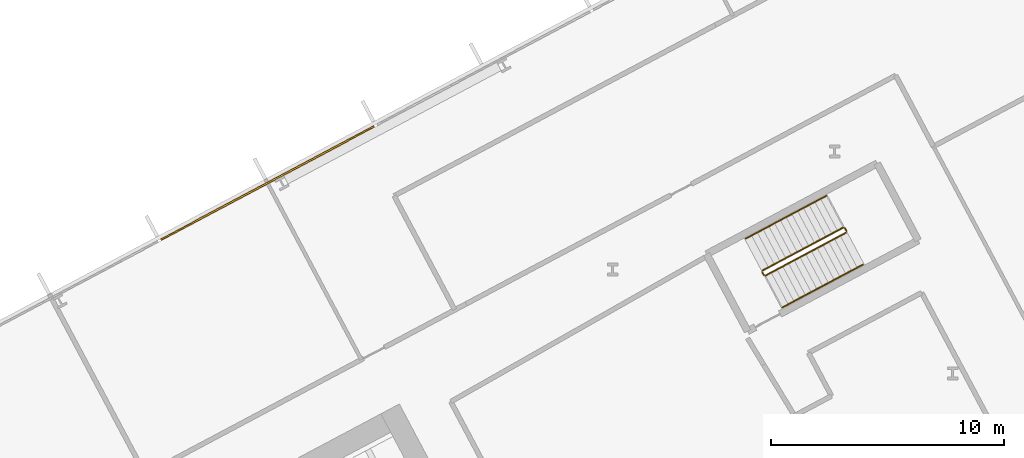
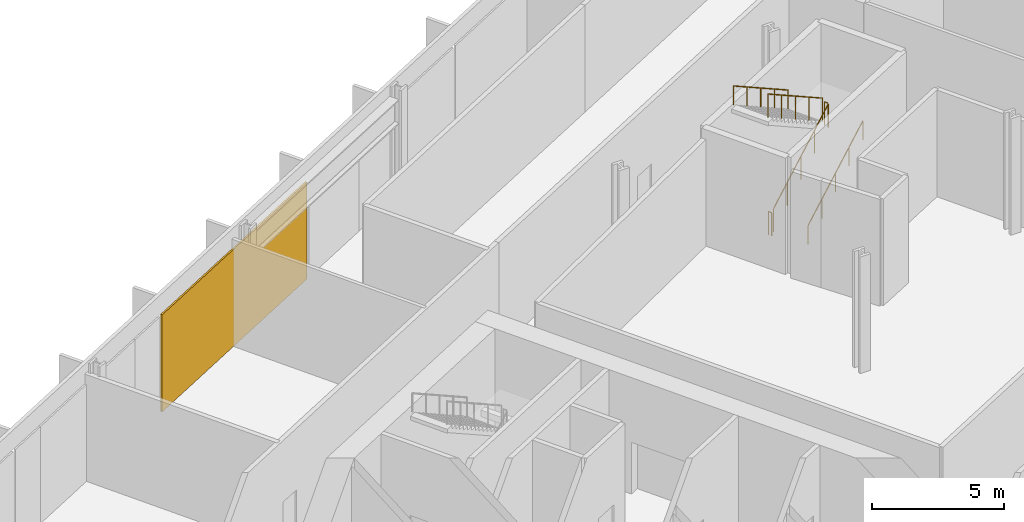
# One storey, part 29 of 30: 6 railings, 1 covering, 1 element without a shape of its own.
"""IFC4 building model written with IfcOpenShell, lengths in metres."""

from ifc_helpers import new_model, si_unit, direction, frame, origin, origin_2d, place, context, subcontext, project, spatial, polyline, rectangle, outline, extrude, material, layer, layer_set, type_object, element, aggregate, save


model = new_model("IFC4")

# Units and contexts
model_context = context("Model", 3, precision=1e-05, world=origin(), true_north=direction((0.0, 1.0)))
body_context = subcontext(model_context, "Body", "Model", "MODEL_VIEW")
ifc_project = project(units=[si_unit("LENGTHUNIT", "METRE"), si_unit("AREAUNIT", "SQUARE_METRE"), si_unit("VOLUMEUNIT", "CUBIC_METRE"), si_unit("PLANEANGLEUNIT", "RADIAN"), si_unit("MASSUNIT", "GRAM", prefix="KILO")], contexts=[model_context])

# Site, building, storey
site_placement = place(None, origin())
site = spatial("IfcSite", under=ifc_project, at=site_placement, CompositionType="ELEMENT")
building_placement = place(site_placement, origin())
building = spatial("IfcBuilding", under=site, at=building_placement, Name="Cormorant Relay Tower", CompositionType="ELEMENT")
storey_placement = place(building_placement, frame((0.0, 0.0, 44.60009765625)))
storey = spatial("IfcBuildingStorey", under=building, at=storey_placement, Name="L08", CompositionType="ELEMENT", Elevation=44.60009765625)

# Curtain wall, covering
ifc_material_1 = material(Name="Aluminium 6063-T6 anodised bronze", Category="aluminium")
ifc_layer_1 = layer(ifc_material_1, 0.235107421875)
ifc_layer_set_1 = layer_set([ifc_layer_1], Name="CW6 data hall curtain wall with mineral wool panels")
curtain_wall_type = type_object("IfcCurtainWallType", Name="CW6 data hall curtain wall with mineral wool panels", PredefinedType="NOTDEFINED", material=ifc_layer_set_1)
curtain_wall_placement = place(storey_placement, origin())
curtain_wall = element("IfcCurtainWall", 1, at=curtain_wall_placement, inside=storey, type_object=curtain_wall_type, Name="CW6 curtain wall 6", PredefinedType="NOTDEFINED")
ifc_material_2 = material(Name="Mineral wool cored anodised bronze aluminium cassette panel", Category="aluminium")
ifc_layer_2 = layer(ifc_material_2, 0.074951171875)
ifc_layer_set_2 = layer_set([ifc_layer_2], Name="CW6 mineral wool cassette panel 75")
covering_type = type_object("IfcCoveringType", Name="CW6 mineral wool cassette panel 75", PredefinedType="CLADDING", material=ifc_layer_set_2)
covering_placement = place(storey_placement, frame((23.193603515625, 36.15869140625, 0.0), z_axis=(0.0, 0.0, 1.0), x_axis=(-0.882947592859, -0.469471562786, 0.0)))
covering = element("IfcCovering", 2, at=covering_placement, type_object=covering_type, Name="CW6 panel S05", PredefinedType="CLADDING", context=body_context, shape_type="SweptSolid", body=[
    extrude(rectangle(XDim=10.365234375, YDim=0.074951171875, at=origin_2d()), origin(), (0.0, 0.0, 1.0), 4.5),
])
aggregate(curtain_wall, [covering])

# Railings
ifc_material_3 = material(Name="Steel ASTM A572 Grade 50 (Fy 345 MPa)", Category="steel")
railing_type_1 = type_object("IfcRailingType", Name="Stair guard 1100", PredefinedType="GUARDRAIL", material=ifc_material_3)
railing_1_placement = place(storey_placement, frame((44.583740234375, 32.186279296875, 0.179931640625)))
element("IfcRailing", 3, at=railing_1_placement, inside=storey, type_object=railing_type_1, Name="L08 RB1 stair guard 1", PredefinedType="GUARDRAIL", context=body_context, shape_type="SweptSolid", body=[
    extrude(outline(polyline([(0.022216796875, 0.00927734375), (0.00927734375, 0.022216796875), (-0.00927734375, 0.022216796875), (-0.022216796875, 0.00927734375), (-0.022216796875, -0.00927734375), (-0.00927734375, -0.022216796875), (0.00927734375, -0.022216796875), (0.022216796875, -0.00927734375), (0.022216796875, 0.00927734375)])), frame((0.0, 0.0, 1.076171875), z_axis=(0.74271721126, 0.394907409077, 0.540758062681), x_axis=(-0.469469396681, 0.882948744594, 0.0)), (0.0, 0.0, 1.0), 4.66015625),
    extrude(outline(polyline([(0.019287109375, 0.008056640625), (0.008056640625, 0.019287109375), (-0.008056640625, 0.019287109375), (-0.019287109375, 0.008056640625), (-0.019287109375, -0.008056640625), (-0.008056640625, -0.019287109375), (0.008056640625, -0.019287109375), (0.019287109375, -0.008056640625), (0.019287109375, 0.008056640625)])), origin(), (0.0, 0.0, 1.0), 1.052001953125),
    extrude(outline(polyline([(0.019287109375, 0.008056640625), (0.008056640625, 0.019287109375), (-0.008056640625, 0.019287109375), (-0.019287109375, 0.008056640625), (-0.019287109375, -0.008056640625), (-0.008056640625, -0.019287109375), (0.008056640625, -0.019287109375), (0.019287109375, -0.008056640625), (0.019287109375, 0.008056640625)])), frame((0.865234375, 0.4599609375, 0.6298828125)), (0.0, 0.0, 1.0), 1.052001953125),
    extrude(outline(polyline([(0.019287109375, 0.008056640625), (0.008056640625, 0.019287109375), (-0.008056640625, 0.019287109375), (-0.019287109375, 0.008056640625), (-0.019287109375, -0.008056640625), (-0.008056640625, -0.019287109375), (0.008056640625, -0.019287109375), (0.019287109375, -0.008056640625), (0.019287109375, 0.008056640625)])), frame((1.73046875, 0.920166015625, 1.260009765625)), (0.0, 0.0, 1.0), 1.052001953125),
    extrude(outline(polyline([(0.019287109375, 0.008056640625), (0.008056640625, 0.019287109375), (-0.008056640625, 0.019287109375), (-0.019287109375, 0.008056640625), (-0.019287109375, -0.008056640625), (-0.008056640625, -0.019287109375), (0.008056640625, -0.019287109375), (0.019287109375, -0.008056640625), (0.019287109375, 0.008056640625)])), frame((2.595947265625, 1.38037109375, 1.89013671875)), (0.0, 0.0, 1.0), 1.052001953125),
    extrude(outline(polyline([(0.019287109375, 0.008056640625), (0.008056640625, 0.019287109375), (-0.008056640625, 0.019287109375), (-0.019287109375, 0.008056640625), (-0.019287109375, -0.008056640625), (-0.008056640625, -0.019287109375), (0.008056640625, -0.019287109375), (0.019287109375, -0.008056640625), (0.019287109375, 0.008056640625)])), frame((3.461181640625, 1.84033203125, 2.52001953125)), (0.0, 0.0, 1.0), 1.052001953125),
])
railing_2_placement = place(storey_placement, frame((48.065673828125, 34.09423828125, 2.699951171875)))
element("IfcRailing", 4, at=railing_2_placement, inside=storey, type_object=railing_type_1, Name="L08 RB1 stair guard 2", PredefinedType="GUARDRAIL", context=body_context, shape_type="SweptSolid", body=[
    extrude(outline(polyline([(0.022216796875, 0.00927734375), (0.00927734375, 0.022216796875), (-0.00927734375, 0.022216796875), (-0.022216796875, 0.00927734375), (-0.022216796875, -0.00927734375), (-0.00927734375, -0.022216796875), (0.00927734375, -0.022216796875), (0.022216796875, -0.00927734375), (0.022216796875, 0.00927734375)])), frame((0.0, 0.0, 1.076171875), z_axis=(-0.469828648786, 0.882757634224, 0.0), x_axis=(-0.882757634224, -0.469828648786, 0.0)), (0.0, 0.0, 1.0), 0.150146484375),
    extrude(outline(polyline([(0.019287109375, 0.008056640625), (0.008056640625, 0.019287109375), (-0.008056640625, 0.019287109375), (-0.019287109375, 0.008056640625), (-0.019287109375, -0.008056640625), (-0.008056640625, -0.019287109375), (0.008056640625, -0.019287109375), (0.019287109375, -0.008056640625), (0.019287109375, 0.008056640625)])), origin(), (0.0, 0.0, 1.0), 1.052001953125),
    extrude(outline(polyline([(0.019287109375, 0.008056640625), (0.008056640625, 0.019287109375), (-0.008056640625, 0.019287109375), (-0.019287109375, 0.008056640625), (-0.019287109375, -0.008056640625), (-0.008056640625, -0.019287109375), (0.008056640625, -0.019287109375), (0.019287109375, -0.008056640625), (0.019287109375, 0.008056640625)])), frame((-0.070556640625, 0.132568359375, 0.0)), (0.0, 0.0, 1.0), 1.052001953125),
])
railing_3_placement = place(storey_placement, frame((47.927490234375, 34.24755859375, 2.8798828125)))
element("IfcRailing", 5, at=railing_3_placement, inside=storey, type_object=railing_type_1, Name="L08 RB1 stair guard 3", PredefinedType="GUARDRAIL", context=body_context, shape_type="SweptSolid", body=[
    extrude(outline(polyline([(0.022216796875, 0.00927734375), (0.00927734375, 0.022216796875), (-0.00927734375, 0.022216796875), (-0.022216796875, 0.00927734375), (-0.022216796875, -0.00927734375), (-0.00927734375, -0.022216796875), (0.00927734375, -0.022216796875), (0.022216796875, -0.00927734375), (0.022216796875, 0.00927734375)])), frame((0.0, 0.0, 1.076171875), z_axis=(-0.74271721126, -0.394907409077, 0.540758062681), x_axis=(0.469469396681, -0.882948744594, 0.0)), (0.0, 0.0, 1.0), 4.66015625),
    extrude(outline(polyline([(0.019287109375, 0.008056640625), (0.008056640625, 0.019287109375), (-0.008056640625, 0.019287109375), (-0.019287109375, 0.008056640625), (-0.019287109375, -0.008056640625), (-0.008056640625, -0.019287109375), (0.008056640625, -0.019287109375), (0.019287109375, -0.008056640625), (0.019287109375, 0.008056640625)])), origin(), (0.0, 0.0, 1.0), 1.052001953125),
    extrude(outline(polyline([(0.019287109375, 0.008056640625), (0.008056640625, 0.019287109375), (-0.008056640625, 0.019287109375), (-0.019287109375, 0.008056640625), (-0.019287109375, -0.008056640625), (-0.008056640625, -0.019287109375), (0.008056640625, -0.019287109375), (0.019287109375, -0.008056640625), (0.019287109375, 0.008056640625)])), frame((-0.865234375, -0.4599609375, 0.6298828125)), (0.0, 0.0, 1.0), 1.052001953125),
    extrude(outline(polyline([(0.019287109375, 0.008056640625), (0.008056640625, 0.019287109375), (-0.008056640625, 0.019287109375), (-0.019287109375, 0.008056640625), (-0.019287109375, -0.008056640625), (-0.008056640625, -0.019287109375), (0.008056640625, -0.019287109375), (0.019287109375, -0.008056640625), (0.019287109375, 0.008056640625)])), frame((-1.73046875, -0.920166015625, 1.260009765625)), (0.0, 0.0, 1.0), 1.052001953125),
    extrude(outline(polyline([(0.019287109375, 0.008056640625), (0.008056640625, 0.019287109375), (-0.008056640625, 0.019287109375), (-0.019287109375, 0.008056640625), (-0.019287109375, -0.008056640625), (-0.008056640625, -0.019287109375), (0.008056640625, -0.019287109375), (0.019287109375, -0.008056640625), (0.019287109375, 0.008056640625)])), frame((-2.595947265625, -1.38037109375, 1.89013671875)), (0.0, 0.0, 1.0), 1.052001953125),
    extrude(outline(polyline([(0.019287109375, 0.008056640625), (0.008056640625, 0.019287109375), (-0.008056640625, 0.019287109375), (-0.019287109375, 0.008056640625), (-0.019287109375, -0.008056640625), (-0.008056640625, -0.019287109375), (0.008056640625, -0.019287109375), (0.019287109375, -0.008056640625), (0.019287109375, 0.008056640625)])), frame((-3.461181640625, -1.84033203125, 2.52001953125)), (0.0, 0.0, 1.0), 1.052001953125),
])
railing_4_placement = place(storey_placement, frame((44.51611328125, 32.20703125, 0.0)))
element("IfcRailing", 6, at=railing_4_placement, inside=storey, type_object=railing_type_1, Name="L08 RB1 stair guard 4", PredefinedType="GUARDRAIL", context=body_context, shape_type="SweptSolid", body=[
    extrude(outline(polyline([(0.022216796875, 0.00927734375), (0.00927734375, 0.022216796875), (-0.00927734375, 0.022216796875), (-0.022216796875, 0.00927734375), (-0.022216796875, -0.00927734375), (-0.00927734375, -0.022216796875), (0.00927734375, -0.022216796875), (0.022216796875, -0.00927734375), (0.022216796875, 0.00927734375)])), frame((0.0, 0.0, 1.076171875), z_axis=(-0.46856034887, 0.8834314911, 0.0), x_axis=(-0.8834314911, -0.46856034887, 0.0)), (0.0, 0.0, 1.0), 0.150146484375),
    extrude(outline(polyline([(0.019287109375, 0.008056640625), (0.008056640625, 0.019287109375), (-0.008056640625, 0.019287109375), (-0.019287109375, 0.008056640625), (-0.019287109375, -0.008056640625), (-0.008056640625, -0.019287109375), (0.008056640625, -0.019287109375), (0.019287109375, -0.008056640625), (0.019287109375, 0.008056640625)])), origin(), (0.0, 0.0, 1.0), 1.052001953125),
    extrude(outline(polyline([(0.019287109375, 0.008056640625), (0.008056640625, 0.019287109375), (-0.008056640625, 0.019287109375), (-0.019287109375, 0.008056640625), (-0.019287109375, -0.008056640625), (-0.008056640625, -0.019287109375), (0.008056640625, -0.019287109375), (0.019287109375, -0.008056640625), (0.019287109375, 0.008056640625)])), frame((-0.0703125, 0.132568359375, 0.0)), (0.0, 0.0, 1.0), 1.052001953125),
])
ifc_material_4 = material(Name="Steel ASTM A572 Grade 50 (Fy 345 MPa)", Category="steel")
railing_type_2 = type_object("IfcRailingType", Name="Stair handrail 900", PredefinedType="HANDRAIL", material=ifc_material_4)
railing_5_placement = place(storey_placement, frame((45.3115234375, 30.81787109375, 0.179931640625)))
element("IfcRailing", 7, at=railing_5_placement, inside=storey, type_object=railing_type_2, Name="L08 RB1 stair handrail 1", PredefinedType="HANDRAIL", context=body_context, shape_type="SweptSolid", body=[
    extrude(outline(polyline([(0.022216796875, 0.00927734375), (0.00927734375, 0.022216796875), (-0.00927734375, 0.022216796875), (-0.022216796875, 0.00927734375), (-0.022216796875, -0.00927734375), (-0.00927734375, -0.022216796875), (0.00927734375, -0.022216796875), (0.022216796875, -0.00927734375), (0.022216796875, 0.00927734375)])), frame((0.0, 0.0, 0.8759765625), z_axis=(0.74271721126, 0.394907409077, 0.540758062681), x_axis=(-0.469469396681, 0.882948744594, 0.0)), (0.0, 0.0, 1.0), 4.66015625),
    extrude(outline(polyline([(0.019287109375, 0.008056640625), (0.008056640625, 0.019287109375), (-0.008056640625, 0.019287109375), (-0.019287109375, 0.008056640625), (-0.019287109375, -0.008056640625), (-0.008056640625, -0.019287109375), (0.008056640625, -0.019287109375), (0.019287109375, -0.008056640625), (0.019287109375, 0.008056640625)])), origin(), (0.0, 0.0, 1.0), 0.851806640625),
    extrude(outline(polyline([(0.019287109375, 0.008056640625), (0.008056640625, 0.019287109375), (-0.008056640625, 0.019287109375), (-0.019287109375, 0.008056640625), (-0.019287109375, -0.008056640625), (-0.008056640625, -0.019287109375), (0.008056640625, -0.019287109375), (0.019287109375, -0.008056640625), (0.019287109375, 0.008056640625)])), frame((0.865234375, 0.4599609375, 0.6298828125)), (0.0, 0.0, 1.0), 0.851806640625),
    extrude(outline(polyline([(0.019287109375, 0.008056640625), (0.008056640625, 0.019287109375), (-0.008056640625, 0.019287109375), (-0.019287109375, 0.008056640625), (-0.019287109375, -0.008056640625), (-0.008056640625, -0.019287109375), (0.008056640625, -0.019287109375), (0.019287109375, -0.008056640625), (0.019287109375, 0.008056640625)])), frame((1.73046875, 0.920166015625, 1.260009765625)), (0.0, 0.0, 1.0), 0.851806640625),
    extrude(outline(polyline([(0.019287109375, 0.008056640625), (0.008056640625, 0.019287109375), (-0.008056640625, 0.019287109375), (-0.019287109375, 0.008056640625), (-0.019287109375, -0.008056640625), (-0.008056640625, -0.019287109375), (0.008056640625, -0.019287109375), (0.019287109375, -0.008056640625), (0.019287109375, 0.008056640625)])), frame((2.595947265625, 1.38037109375, 1.89013671875)), (0.0, 0.0, 1.0), 0.851806640625),
    extrude(outline(polyline([(0.019287109375, 0.008056640625), (0.008056640625, 0.019287109375), (-0.008056640625, 0.019287109375), (-0.019287109375, 0.008056640625), (-0.019287109375, -0.008056640625), (-0.008056640625, -0.019287109375), (0.008056640625, -0.019287109375), (0.019287109375, -0.008056640625), (0.019287109375, 0.008056640625)])), frame((3.461181640625, 1.84033203125, 2.52001953125)), (0.0, 0.0, 1.0), 0.851806640625),
])
railing_6_placement = place(storey_placement, frame((47.199951171875, 35.615966796875, 2.8798828125)))
element("IfcRailing", 8, at=railing_6_placement, inside=storey, type_object=railing_type_2, Name="L08 RB1 stair handrail 2", PredefinedType="HANDRAIL", context=body_context, shape_type="SweptSolid", body=[
    extrude(outline(polyline([(0.022216796875, 0.00927734375), (0.00927734375, 0.022216796875), (-0.00927734375, 0.022216796875), (-0.022216796875, 0.00927734375), (-0.022216796875, -0.00927734375), (-0.00927734375, -0.022216796875), (0.00927734375, -0.022216796875), (0.022216796875, -0.00927734375), (0.022216796875, 0.00927734375)])), frame((0.0, 0.0, 0.8759765625), z_axis=(-0.74271721126, -0.394907409077, 0.540758062681), x_axis=(0.469469396681, -0.882948744594, 0.0)), (0.0, 0.0, 1.0), 4.66015625),
    extrude(outline(polyline([(0.019287109375, 0.008056640625), (0.008056640625, 0.019287109375), (-0.008056640625, 0.019287109375), (-0.019287109375, 0.008056640625), (-0.019287109375, -0.008056640625), (-0.008056640625, -0.019287109375), (0.008056640625, -0.019287109375), (0.019287109375, -0.008056640625), (0.019287109375, 0.008056640625)])), origin(), (0.0, 0.0, 1.0), 0.851806640625),
    extrude(outline(polyline([(0.019287109375, 0.008056640625), (0.008056640625, 0.019287109375), (-0.008056640625, 0.019287109375), (-0.019287109375, 0.008056640625), (-0.019287109375, -0.008056640625), (-0.008056640625, -0.019287109375), (0.008056640625, -0.019287109375), (0.019287109375, -0.008056640625), (0.019287109375, 0.008056640625)])), frame((-0.865234375, -0.4599609375, 0.6298828125)), (0.0, 0.0, 1.0), 0.851806640625),
    extrude(outline(polyline([(0.019287109375, 0.008056640625), (0.008056640625, 0.019287109375), (-0.008056640625, 0.019287109375), (-0.019287109375, 0.008056640625), (-0.019287109375, -0.008056640625), (-0.008056640625, -0.019287109375), (0.008056640625, -0.019287109375), (0.019287109375, -0.008056640625), (0.019287109375, 0.008056640625)])), frame((-1.73046875, -0.920166015625, 1.260009765625)), (0.0, 0.0, 1.0), 0.851806640625),
    extrude(outline(polyline([(0.019287109375, 0.008056640625), (0.008056640625, 0.019287109375), (-0.008056640625, 0.019287109375), (-0.019287109375, 0.008056640625), (-0.019287109375, -0.008056640625), (-0.008056640625, -0.019287109375), (0.008056640625, -0.019287109375), (0.019287109375, -0.008056640625), (0.019287109375, 0.008056640625)])), frame((-2.595947265625, -1.38037109375, 1.89013671875)), (0.0, 0.0, 1.0), 0.851806640625),
    extrude(outline(polyline([(0.019287109375, 0.008056640625), (0.008056640625, 0.019287109375), (-0.008056640625, 0.019287109375), (-0.019287109375, 0.008056640625), (-0.019287109375, -0.008056640625), (-0.008056640625, -0.019287109375), (0.008056640625, -0.019287109375), (0.019287109375, -0.008056640625), (0.019287109375, 0.008056640625)])), frame((-3.461181640625, -1.84033203125, 2.52001953125)), (0.0, 0.0, 1.0), 0.851806640625),
])

save(model, "model.ifc")
